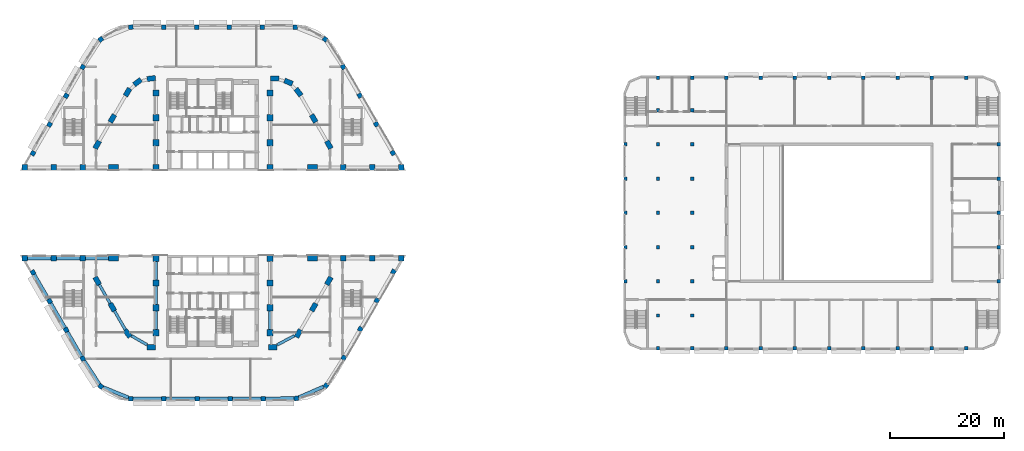
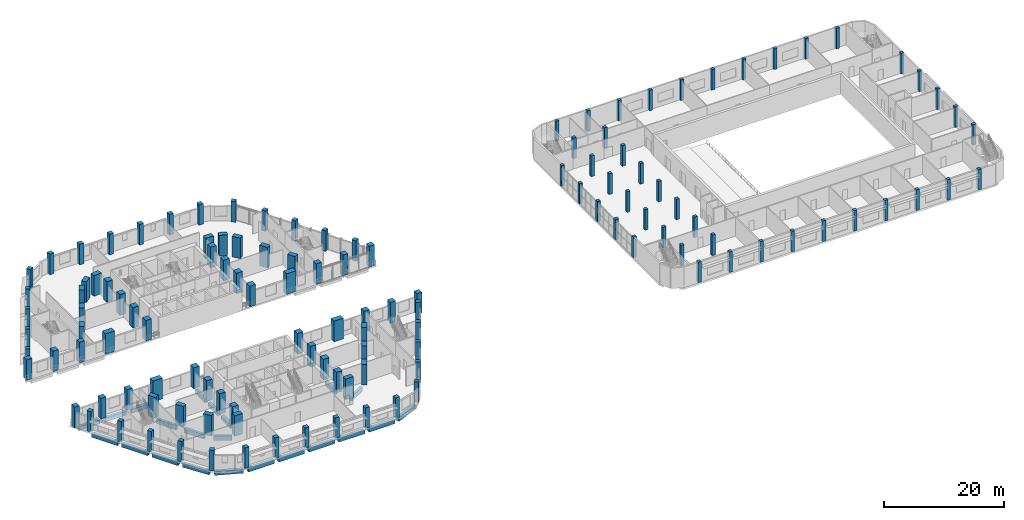
# One storey, part 1 of 45: 126 columns, 22 beams.
"""IFC4 building model written with IfcOpenShell, lengths in metres."""

import ifcopenshell
import ifcopenshell.guid

model = None  # the IFC model being written
_history = None  # IfcOwnerHistory: only IFC2X3 demands one
_inside = {}  # id of a spatial element -> (the spatial element, [elements in it])
_under = {}  # id of a project, library or spatial element -> (it, [spatial elements below it])
_declared = {}  # id of a project -> (the project, [libraries it declares])
_typed = {}  # id of a type object -> (the type object, [elements of that type])
_made_of = {}  # id of a material, layer set ... -> (it, [elements and type objects made of it])


def new_model(schema):
    """Start an empty IFC model of exactly this schema.

    Asked for "IFC4X3", IfcOpenShell would pick the latest addendum, in which some entities
    have other attributes; the version numbers below select the first issue.
    IFC2X3 requires an IfcOwnerHistory on every rooted entity: one is made here for all.
    """
    global model, _history
    if schema == "IFC4X3":
        model = ifcopenshell.file(schema_version=(4, 3, 0, 0))
    else:
        model = ifcopenshell.file(schema=schema)
    _inside.clear()
    _under.clear()
    _declared.clear()
    _typed.clear()
    _made_of.clear()
    _history = None
    if model.schema == "IFC2X3":
        org = make("IfcOrganization", Name="unknown")
        user = make(
            "IfcPersonAndOrganization",
            ThePerson=make("IfcPerson", FamilyName="unknown"),
            TheOrganization=org,
        )
        app = make(
            "IfcApplication",
            ApplicationDeveloper=org,
            Version="unknown",
            ApplicationFullName="unknown",
            ApplicationIdentifier="unknown",
        )
        _history = make(
            "IfcOwnerHistory",
            OwningUser=user,
            OwningApplication=app,
            ChangeAction="ADDED",
            CreationDate=0,
        )
    return model


def make(cls, **values):
    """One entity of the class cls with the attributes given. An attribute that is None is left unset."""
    return model.create_entity(
        cls, **{name: value for name, value in values.items() if value is not None}
    )


def rooted(cls, **values):
    """An entity with a GlobalId (a new one), such as an element, a storey or a relation."""
    return make(cls, GlobalId=ifcopenshell.guid.new(), OwnerHistory=_history, **values)


def si_unit(unit_type, name, prefix=None):
    """IfcSIUnit, for example si_unit("LENGTHUNIT", "METRE", prefix="MILLI")."""
    return make("IfcSIUnit", UnitType=unit_type, Prefix=prefix, Name=name)


def assignment(units):
    """IfcUnitAssignment: the units of a project."""
    return None if units is None else make("IfcUnitAssignment", Units=units)


def point(xyz):
    """IfcCartesianPoint."""
    return None if xyz is None else make("IfcCartesianPoint", Coordinates=xyz)


def direction(xyz):
    """IfcDirection."""
    return None if xyz is None else make("IfcDirection", DirectionRatios=xyz)


def frame(location, z_axis=None, x_axis=None):
    """IfcAxis2Placement3D, a coordinate frame: its origin and axes. An axis left out is left unset."""
    return make(
        "IfcAxis2Placement3D",
        Location=point(location),
        Axis=direction(z_axis),
        RefDirection=direction(x_axis),
    )


def frame_2d(location, x_axis=None):
    """IfcAxis2Placement2D, a coordinate frame in the plane: its origin and x axis."""
    return make(
        "IfcAxis2Placement2D", Location=point(location), RefDirection=direction(x_axis)
    )


def origin():
    """The frame at (0, 0, 0) with its axes left unset."""
    return frame((0.0, 0.0, 0.0))


def origin_2d():
    """The frame at (0, 0) in the plane with its x axis left unset."""
    return frame_2d((0.0, 0.0))


def place(relative_to, where):
    """IfcLocalPlacement: puts the frame where relative to a parent placement (None: the world)."""
    return make(
        "IfcLocalPlacement", PlacementRelTo=relative_to, RelativePlacement=where
    )


def context(
    kind, dimensions, precision=None, world=None, true_north=None, identifier=None
):
    """IfcGeometricRepresentationContext, for example the 3D "Model" context."""
    return make(
        "IfcGeometricRepresentationContext",
        ContextIdentifier=identifier,
        ContextType=kind,
        CoordinateSpaceDimension=dimensions,
        Precision=precision,
        WorldCoordinateSystem=world,
        TrueNorth=true_north,
    )


def subcontext(parent, identifier, kind, view, scale=None):
    """IfcGeometricRepresentationSubContext, for example "Body" below "Model"."""
    return make(
        "IfcGeometricRepresentationSubContext",
        ContextIdentifier=identifier,
        ContextType=kind,
        ParentContext=parent,
        TargetScale=scale,
        TargetView=view,
    )


def project(units=None, contexts=None):
    """IfcProject with its units and contexts."""
    return rooted(
        "IfcProject",
        Name="project",
        RepresentationContexts=contexts,
        UnitsInContext=assignment(units),
    )


def spatial(cls, under=None, at=None, **own):
    """A site, building, storey or space (cls), placed at a placement, below another one or the project."""
    s = rooted(cls, ObjectPlacement=at, **own)
    if under is not None:
        _under.setdefault(under.id(), (under, []))[1].append(s)
    return s


def profile(cls, at=None, kind="AREA", **sizes):
    """A parametric profile (cls). Its sizes go by their IFC names, for example OverallWidth=200.0."""
    return make(cls, ProfileType=kind, Position=at, **sizes)


def rectangle(**sizes):
    """IfcRectangleProfileDef."""
    return profile("IfcRectangleProfileDef", **sizes)


def extrude(swept, where, along, depth):
    """IfcExtrudedAreaSolid: the profile swept, set in the frame where, extruded along a direction by depth."""
    return make(
        "IfcExtrudedAreaSolid",
        SweptArea=swept,
        Position=where,
        ExtrudedDirection=direction(along),
        Depth=depth,
    )


def shape(context_of_items, identifier, shape_type, items):
    """IfcShapeRepresentation: the items that make up one representation, for example the "Body"."""
    return make(
        "IfcShapeRepresentation",
        ContextOfItems=context_of_items,
        RepresentationIdentifier=identifier,
        RepresentationType=shape_type,
        Items=items,
    )


def material(Name=None, Category=None):
    """IfcMaterial."""
    return make("IfcMaterial", Name=Name, Category=Category)


def material_profile(
    of_material, cross_section, Name=None, Category=None, Priority=None
):
    """IfcMaterialProfile: a cross section and its material."""
    return make(
        "IfcMaterialProfile",
        Name=Name,
        Material=of_material,
        Profile=cross_section,
        Priority=Priority,
        Category=Category,
    )


def profile_set(profiles, Name=None, composite=None):
    """IfcMaterialProfileSet."""
    return make(
        "IfcMaterialProfileSet",
        Name=Name,
        MaterialProfiles=profiles,
        CompositeProfile=composite,
    )


def made_of(thing, what):
    """Note that an element or type object is made of a material, layer set ...; save() writes the relation."""
    if what is not None:
        _made_of.setdefault(what.id(), (what, []))[1].append(thing)
    return thing


def type_object(cls, material=None, **own):
    """A type object (cls), such as IfcWallType, which elements share."""
    return made_of(rooted(cls, **own), material)


def element(
    cls,
    number,
    at=None,
    inside=None,
    cuts=None,
    type_object=None,
    material=None,
    context=None,
    identifier="Body",
    shape_type=None,
    held_by="IfcProductDefinitionShape",
    body=None,
    shapes=None,
    **own,
):
    """One element of the class cls, such as IfcWall. Its Tag is "e" and its number.

    at: its placement. inside: the storey or other place that contains it. cuts: it is an
    opening in that element (IfcRelVoidsElement). A single representation is given by context,
    identifier, shape_type and body (its items); several are given by shapes. held_by: the class
    of the entity that holds the representations. save() writes the other relations.
    """
    e = rooted(cls, Tag="e%d" % number, ObjectPlacement=at, **own)
    if body is not None:
        shapes = [shape(context, identifier, shape_type, body)]
    if shapes is not None:
        e.Representation = make(held_by, Representations=shapes)
    if inside is not None:
        _inside.setdefault(inside.id(), (inside, []))[1].append(e)
    if cuts is not None:
        rooted(
            "IfcRelVoidsElement", RelatingBuildingElement=cuts, RelatedOpeningElement=e
        )
    if type_object is not None:
        _typed.setdefault(type_object.id(), (type_object, []))[1].append(e)
    return made_of(e, material)


def aggregate(whole, parts):
    """IfcRelAggregates: a whole, such as a stair, and the parts it consists of."""
    return rooted("IfcRelAggregates", RelatingObject=whole, RelatedObjects=parts)


def save(model, path):
    """Write the relations noted so far, then the file.

    IfcRelAggregates (storeys below a building ...), IfcRelContainedInSpatialStructure (elements
    in a storey), IfcRelDefinesByType, IfcRelAssociatesMaterial and IfcRelDeclares: one each for
    every whole, place, type object, material and project.
    """
    for whole, parts in _under.values():
        aggregate(whole, parts)
    for where, things in _inside.values():
        rooted(
            "IfcRelContainedInSpatialStructure",
            RelatedElements=things,
            RelatingStructure=where,
        )
    for kind, things in _typed.values():
        rooted("IfcRelDefinesByType", RelatedObjects=things, RelatingType=kind)
    for what, things in _made_of.values():
        rooted("IfcRelAssociatesMaterial", RelatedObjects=things, RelatingMaterial=what)
    for by, libraries in _declared.values():
        rooted("IfcRelDeclares", RelatingContext=by, RelatedDefinitions=libraries)
    model.write(path)


model = new_model("IFC4")

# Units and contexts
model_context = context("Model", 3, precision=1e-05, world=origin(), true_north=direction((0.0, 1.0)))
body_context = subcontext(model_context, "Body", "Model", "MODEL_VIEW")
ifc_project = project(units=[si_unit("LENGTHUNIT", "METRE"), si_unit("AREAUNIT", "SQUARE_METRE"), si_unit("VOLUMEUNIT", "CUBIC_METRE"), si_unit("PLANEANGLEUNIT", "RADIAN"), si_unit("MASSUNIT", "GRAM", prefix="KILO")], contexts=[model_context])

# Site, building, storey
site_placement = place(None, origin())
site = spatial("IfcSite", under=ifc_project, at=site_placement, CompositionType="ELEMENT")
building_placement = place(site_placement, origin())
building = spatial("IfcBuilding", under=site, at=building_placement, Name="Nakaniwa Court", CompositionType="ELEMENT")
storey_placement = place(building_placement, frame((0.0, 0.0, 11.39990234375)))
storey = spatial("IfcBuildingStorey", under=building, at=storey_placement, Name="L02", CompositionType="ELEMENT", Elevation=11.39990234375)

# Columns
ifc_material_1 = material(Name="Concrete C100/115", Category="concrete")
ifc_material_profile_1 = material_profile(ifc_material_1, rectangle(XDim=1.0, YDim=1.0, at=origin_2d()), Name="Concrete C100/115 RC 1000x1000 portal edge column")
ifc_profile_set_1 = profile_set([ifc_material_profile_1], Name="Concrete C100/115")
column_type_1 = type_object("IfcColumnType", Name="Concrete C100/115 RC 1000x1000 portal edge column", PredefinedType="COLUMN", material=ifc_profile_set_1)
for number, where, z_axis, x_axis, name in (
    (1, (102.822998046875, 87.949951171875, 0.0), (0.0, 0.0, 1.0), (1.0, 0.0, 0.0), "COLUMN CP-03"),
    (2, (102.822998046875, 72.050048828125, 0.0), (0.0, 0.0, 1.0), (1.0, 0.0, 0.0), "COLUMN CP-04"),
    (3, (107.908935546875, 87.949951171875, 0.0), (0.0, 0.0, 1.0), (1.0, 0.0, 0.0), "COLUMN CP-05"),
    (4, (107.908935546875, 72.050048828125, 0.0), (0.0, 0.0, 1.0), (1.0, 0.0, 0.0), "COLUMN CP-06"),
    (5, (112.99609375, 87.949951171875, 0.0), (0.0, 0.0, 1.0), (1.0, 0.0, 0.0), "COLUMN CP-07"),
    (6, (112.99609375, 72.050048828125, 0.0), (0.0, 0.0, 1.0), (1.0, 0.0, 0.0), "COLUMN CP-08"),
    (7, (57.177001953125, 87.949951171875, 0.0), (0.0, 0.0, 1.0), (1.0, 0.0, 0.0), "COLUMN CP-11"),
    (8, (57.177001953125, 72.050048828125, 0.0), (0.0, 0.0, 1.0), (1.0, 0.0, 0.0), "COLUMN CP-12"),
    (9, (52.091064453125, 87.949951171875, 0.0), (0.0, 0.0, 1.0), (1.0, 0.0, 0.0), "COLUMN CP-13"),
    (10, (52.091064453125, 72.050048828125, 0.0), (0.0, 0.0, 1.0), (1.0, 0.0, 0.0), "COLUMN CP-14"),
    (11, (47.00390625, 87.949951171875, 0.0), (0.0, 0.0, 1.0), (1.0, 0.0, 0.0), "COLUMN CP-15"),
    (12, (47.00390625, 72.050048828125, 0.0), (0.0, 0.0, 1.0), (1.0, 0.0, 0.0), "COLUMN CP-16"),
):
    element("IfcColumn", number, at=place(storey_placement, frame(where, z_axis=z_axis, x_axis=x_axis)), inside=storey, type_object=column_type_1, Name=name, PredefinedType="COLUMN", context=body_context, shape_type="SweptSolid", body=[
        extrude(rectangle(XDim=1.0, YDim=1.0, at=origin_2d()), origin(), (0.0, 0.0, 1.0), 4.2001953125),
    ])
ifc_material_profile_2 = material_profile(ifc_material_1, rectangle(XDim=1.10009765625, YDim=1.10009765625, at=origin_2d()), Name="Concrete C100/115 RC 1100x1100 spine column")
ifc_profile_set_2 = profile_set([ifc_material_profile_2], Name="Concrete C100/115")
column_type_2 = type_object("IfcColumnType", Name="Concrete C100/115 RC 1100x1100 spine column", PredefinedType="COLUMN", material=ifc_profile_set_2)
for number, where, z_axis, x_axis, name in (
    (13, (90.0, 59.0, 0.0), (0.0, 0.0, 1.0), (0.0, 1.0, 0.0), "COLUMN CS-01"),
    (14, (90.0, 63.35009765625, 0.0), (0.0, 0.0, 1.0), (0.0, 1.0, 0.0), "COLUMN CS-02"),
    (15, (90.0, 67.699951171875, 0.0), (0.0, 0.0, 1.0), (0.0, 1.0, 0.0), "COLUMN CS-03"),
    (16, (90.0, 72.050048828125, 0.0), (0.0, 0.0, 1.0), (0.0, 1.0, 0.0), "COLUMN CS-04"),
    (17, (90.0, 87.949951171875, 0.0), (0.0, 0.0, 1.0), (0.0, 1.0, 0.0), "COLUMN CS-07"),
    (18, (90.0, 92.300048828125, 0.0), (0.0, 0.0, 1.0), (0.0, 1.0, 0.0), "COLUMN CS-08"),
    (19, (90.0, 96.64990234375, 0.0), (0.0, 0.0, 1.0), (0.0, 1.0, 0.0), "COLUMN CS-09"),
    (20, (90.0, 101.0, 0.0), (0.0, 0.0, 1.0), (0.0, 1.0, 0.0), "COLUMN CS-10"),
    (21, (70.0, 101.0, 0.0), (0.0, 0.0, 1.0), (0.0, -1.0, 0.0), "COLUMN CS-11"),
    (22, (70.0, 96.64990234375, 0.0), (0.0, 0.0, 1.0), (0.0, -1.0, 0.0), "COLUMN CS-12"),
    (23, (70.0, 92.300048828125, 0.0), (0.0, 0.0, 1.0), (0.0, -1.0, 0.0), "COLUMN CS-13"),
    (24, (70.0, 87.949951171875, 0.0), (0.0, 0.0, 1.0), (0.0, -1.0, 0.0), "COLUMN CS-14"),
    (25, (70.0, 72.050048828125, 0.0), (0.0, 0.0, 1.0), (0.0, -1.0, 0.0), "COLUMN CS-17"),
    (26, (70.0, 67.699951171875, 0.0), (0.0, 0.0, 1.0), (0.0, -1.0, 0.0), "COLUMN CS-18"),
    (27, (70.0, 63.35009765625, 0.0), (0.0, 0.0, 1.0), (0.0, -1.0, 0.0), "COLUMN CS-19"),
    (28, (70.0, 59.0, 0.0), (0.0, 0.0, 1.0), (0.0, -1.0, 0.0), "COLUMN CS-20"),
):
    element("IfcColumn", number, at=place(storey_placement, frame(where, z_axis=z_axis, x_axis=x_axis)), inside=storey, type_object=column_type_2, Name=name, PredefinedType="COLUMN", context=body_context, shape_type="SweptSolid", body=[
        extrude(rectangle(XDim=1.10009765625, YDim=1.10009765625, at=origin_2d()), origin(), (0.0, 0.0, 1.0), 4.2001953125),
    ])
ifc_material_profile_3 = material_profile(ifc_material_1, rectangle(XDim=1.5, YDim=0.89990234375, at=origin_2d()), Name="Concrete C100/115 RC 1500x900 perimeter column")
ifc_profile_set_3 = profile_set([ifc_material_profile_3], Name="Concrete C100/115")
column_type_3 = type_object("IfcColumnType", Name="Concrete C100/115 RC 1500x900 perimeter column", PredefinedType="COLUMN", material=ifc_profile_set_3)
for number, where, z_axis, x_axis, name in (
    (29, (69.17529296875, 103.550048828125, 0.0), (0.0, 0.0, 1.0), (-0.991442583111, -0.130543496177, 0.0), "COLUMN CO-01"),
    (30, (66.772705078125, 102.91015625, 0.0), (0.0, 0.0, 1.0), (-0.793363965062, -0.608747582288, 0.0), "COLUMN CO-02"),
    (31, (65.017578125, 101.1494140625, 0.0), (0.0, 0.0, 1.0), (-0.5, -0.866025403784, 0.0), "COLUMN CO-03"),
    (32, (62.3544921875, 96.537109375, 0.0), (0.0, 0.0, 1.0), (-0.5, -0.866025403784, 0.0), "COLUMN CO-04"),
    (33, (59.691650390625, 91.9248046875, 0.0), (0.0, 0.0, 1.0), (-0.5, -0.866025403784, 0.0), "COLUMN CO-05"),
    (34, (59.691650390625, 68.0751953125, 0.0), (0.0, 0.0, 1.0), (0.5, -0.866025403784, 0.0), "COLUMN CO-14"),
    (35, (62.3544921875, 63.462890625, 0.0), (0.0, 0.0, 1.0), (0.5, -0.866025403784, 0.0), "COLUMN CO-15"),
    (36, (65.017578125, 58.8505859375, 0.0), (0.0, 0.0, 1.0), (0.608761429009, -0.793353340291, 0.0), "COLUMN CO-16"),
    (37, (69.17529296875, 56.449951171875, 0.0), (0.0, 0.0, 1.0), (1.0, 0.0, 0.0), "COLUMN CO-17"),
    (38, (90.507080078125, 56.449951171875, 0.0), (0.0, 0.0, 1.0), (1.0, 0.0, 0.0), "COLUMN CO-21"),
    (39, (94.982421875, 58.8505859375, 0.0), (0.0, 0.0, 1.0), (0.5, 0.866025403784, 0.0), "COLUMN CO-22"),
    (40, (97.6455078125, 63.462890625, 0.0), (0.0, 0.0, 1.0), (0.5, 0.866025403784, 0.0), "COLUMN CO-23"),
    (41, (100.308349609375, 68.0751953125, 0.0), (0.0, 0.0, 1.0), (0.5, 0.866025403784, 0.0), "COLUMN CO-24"),
    (42, (100.308349609375, 91.9248046875, 0.0), (0.0, 0.0, 1.0), (-0.5, 0.866025403784, 0.0), "COLUMN CO-33"),
    (43, (97.6455078125, 96.537109375, 0.0), (0.0, 0.0, 1.0), (-0.5, 0.866025403784, 0.0), "COLUMN CO-34"),
    (44, (94.982421875, 101.1494140625, 0.0), (0.0, 0.0, 1.0), (-0.608761429009, 0.793353340291, 0.0), "COLUMN CO-35"),
    (45, (93.227294921875, 102.91015625, 0.0), (0.0, 0.0, 1.0), (-0.923879532511, 0.382683432365, 0.0), "COLUMN CO-36"),
    (46, (90.82470703125, 103.550048828125, 0.0), (0.0, 0.0, 1.0), (-1.0, 0.0, 0.0), "COLUMN CO-37"),
):
    element("IfcColumn", number, at=place(storey_placement, frame(where, z_axis=z_axis, x_axis=x_axis)), inside=storey, type_object=column_type_3, Name=name, PredefinedType="COLUMN", context=body_context, shape_type="SweptSolid", body=[
        extrude(rectangle(XDim=1.5, YDim=0.89990234375, at=origin_2d()), origin(), (0.0, 0.0, 1.0), 4.2001953125),
    ])
ifc_material_profile_4 = material_profile(ifc_material_1, rectangle(XDim=1.800048828125, YDim=1.0, at=origin_2d()), Name="Concrete C100/115 RC 1800x1000 portal edge column")
ifc_profile_set_4 = profile_set([ifc_material_profile_4], Name="Concrete C100/115")
column_type_4 = type_object("IfcColumnType", Name="Concrete C100/115 RC 1800x1000 portal edge column", PredefinedType="COLUMN", material=ifc_profile_set_4)
for number, where, z_axis, x_axis, name in (
    (47, (97.4580078125, 87.949951171875, 0.0), (0.0, 0.0, 1.0), (1.0, 0.0, 0.0), "COLUMN CP-01"),
    (48, (97.4580078125, 72.050048828125, 0.0), (0.0, 0.0, 1.0), (1.0, 0.0, 0.0), "COLUMN CP-02"),
    (49, (62.5419921875, 87.949951171875, 0.0), (0.0, 0.0, 1.0), (1.0, 0.0, 0.0), "COLUMN CP-09"),
    (50, (62.5419921875, 72.050048828125, 0.0), (0.0, 0.0, 1.0), (1.0, 0.0, 0.0), "COLUMN CP-10"),
):
    element("IfcColumn", number, at=place(storey_placement, frame(where, z_axis=z_axis, x_axis=x_axis)), inside=storey, type_object=column_type_4, Name=name, PredefinedType="COLUMN", context=body_context, shape_type="SweptSolid", body=[
        extrude(rectangle(XDim=1.800048828125, YDim=1.0, at=origin_2d()), origin(), (0.0, 0.0, 1.0), 4.2001953125),
    ])
ifc_material_profile_5 = material_profile(ifc_material_1, rectangle(XDim=0.800048828125, YDim=0.800048828125, at=origin_2d()), Name="Concrete C100/115 RC 800x800 podium skirt column")
ifc_profile_set_5 = profile_set([ifc_material_profile_5], Name="Concrete C100/115")
column_type_5 = type_object("IfcColumnType", Name="Concrete C100/115 RC 800x800 podium skirt column", PredefinedType="COLUMN", material=ifc_profile_set_5)
for number, where, z_axis, x_axis, name in (
    (51, (65.595703125, 112.550048828125, 0.0), (0.0, 0.0, 1.0), (-0.991444861374, -0.13052619222, 0.0), "COLUMN CK-01"),
    (52, (60.32763671875, 110.41064453125, 0.0), (0.0, 0.0, 1.0), (-0.793353340291, -0.608761429009, 0.0), "COLUMN CK-02"),
    (53, (57.165771484375, 105.550048828125, 0.0), (0.0, 0.0, 1.0), (-0.5, -0.866025403784, 0.0), "COLUMN CK-03"),
    (54, (54.25732421875, 100.5126953125, 0.0), (0.0, 0.0, 1.0), (-0.5, -0.866025403784, 0.0), "COLUMN CK-04"),
    (55, (51.34912109375, 95.47509765625, 0.0), (0.0, 0.0, 1.0), (-0.5, -0.866025403784, 0.0), "COLUMN CK-05"),
    (56, (48.440673828125, 90.437744140625, 0.0), (0.0, 0.0, 1.0), (-0.5, -0.866025403784, 0.0), "COLUMN CK-06"),
    (57, (48.440673828125, 69.562255859375, 0.0), (0.0, 0.0, 1.0), (0.5, -0.866025403784, 0.0), "COLUMN CK-10"),
    (58, (51.34912109375, 64.52490234375, 0.0), (0.0, 0.0, 1.0), (0.5, -0.866025403784, 0.0), "COLUMN CK-11"),
    (59, (54.25732421875, 59.4873046875, 0.0), (0.0, 0.0, 1.0), (0.5, -0.866025403784, 0.0), "COLUMN CK-12"),
    (60, (57.165771484375, 54.449951171875, 0.0), (0.0, 0.0, 1.0), (0.5, -0.866025403784, 0.0), "COLUMN CK-13"),
    (61, (60.32763671875, 49.58935546875, 0.0), (0.0, 0.0, 1.0), (0.793353340291, -0.608761429009, 0.0), "COLUMN CK-14"),
    (62, (65.595703125, 47.449951171875, 0.0), (0.0, 0.0, 1.0), (1.0, 0.0, 0.0), "COLUMN CK-15"),
    (63, (71.39794921875, 47.449951171875, 0.0), (0.0, 0.0, 1.0), (1.0, 0.0, 0.0), "COLUMN CK-16"),
    (64, (77.2001953125, 47.449951171875, 0.0), (0.0, 0.0, 1.0), (1.0, 0.0, 0.0), "COLUMN CK-17"),
    (65, (83.00244140625, 47.449951171875, 0.0), (0.0, 0.0, 1.0), (1.0, 0.0, 0.0), "COLUMN CK-18"),
    (66, (88.8046875, 47.449951171875, 0.0), (0.0, 0.0, 1.0), (1.0, 0.0, 0.0), "COLUMN CK-19"),
    (67, (94.605224609375, 47.4765625, 0.0), (0.0, 0.0, 1.0), (0.991444861374, 0.13052619222, 0.0), "COLUMN CK-20"),
    (68, (99.8095703125, 49.716064453125, 0.0), (0.0, 0.0, 1.0), (0.608761429009, 0.793353340291, 0.0), "COLUMN CK-21"),
    (69, (102.921142578125, 54.600341796875, 0.0), (0.0, 0.0, 1.0), (0.5, 0.866025403784, 0.0), "COLUMN CK-22"),
    (70, (105.822265625, 59.62548828125, 0.0), (0.0, 0.0, 1.0), (0.5, 0.866025403784, 0.0), "COLUMN CK-23"),
    (71, (108.723388671875, 64.650390625, 0.0), (0.0, 0.0, 1.0), (0.5, 0.866025403784, 0.0), "COLUMN CK-24"),
    (72, (111.62451171875, 69.67529296875, 0.0), (0.0, 0.0, 1.0), (0.5, 0.866025403784, 0.0), "COLUMN CK-25"),
    (73, (111.523193359375, 90.50048828125, 0.0), (0.0, 0.0, 1.0), (-0.5, 0.866025403784, 0.0), "COLUMN CK-29"),
    (74, (108.6220703125, 95.525390625, 0.0), (0.0, 0.0, 1.0), (-0.5, 0.866025403784, 0.0), "COLUMN CK-30"),
    (75, (105.720703125, 100.55029296875, 0.0), (0.0, 0.0, 1.0), (-0.5, 0.866025403784, 0.0), "COLUMN CK-31"),
    (76, (102.819580078125, 105.5751953125, 0.0), (0.0, 0.0, 1.0), (-0.5, 0.866025403784, 0.0), "COLUMN CK-32"),
    (77, (99.660888671875, 110.41943359375, 0.0), (0.0, 0.0, 1.0), (-0.793353340291, 0.608761429009, 0.0), "COLUMN CK-33"),
    (78, (94.404296875, 112.550048828125, 0.0), (0.0, 0.0, 1.0), (-1.0, 0.0, 0.0), "COLUMN CK-34"),
    (79, (88.642578125, 112.550048828125, 0.0), (0.0, 0.0, 1.0), (-1.0, 0.0, 0.0), "COLUMN CK-35"),
    (80, (82.880859375, 112.550048828125, 0.0), (0.0, 0.0, 1.0), (-1.0, 0.0, 0.0), "COLUMN CK-36"),
    (81, (77.119140625, 112.550048828125, 0.0), (0.0, 0.0, 1.0), (-1.0, 0.0, 0.0), "COLUMN CK-37"),
    (82, (71.357421875, 112.550048828125, 0.0), (0.0, 0.0, 1.0), (-1.0, 0.0, 0.0), "COLUMN CK-38"),
):
    element("IfcColumn", number, at=place(storey_placement, frame(where, z_axis=z_axis, x_axis=x_axis)), inside=storey, type_object=column_type_5, Name=name, PredefinedType="COLUMN", context=body_context, shape_type="SweptSolid", body=[
        extrude(rectangle(XDim=0.800048828125, YDim=0.800048828125, at=origin_2d()), origin(), (0.0, 0.0, 1.0), 4.2001953125),
    ])
ifc_material_2 = material(Name="Concrete C50/60", Category="concrete")
ifc_material_profile_6 = material_profile(ifc_material_2, rectangle(XDim=0.60009765625, YDim=0.60009765625, at=origin_2d()), Name="RC 600x600")
ifc_profile_set_6 = profile_set([ifc_material_profile_6], Name="Concrete C50/60")
column_type_6 = type_object("IfcColumnType", Name="Hall column RC 600x600 C50/60", PredefinedType="COLUMN", material=ifc_profile_set_6)
for number, where, z_axis, x_axis, name in (
    (83, (158.0, 56.300048828125, 0.0), (0.0, 0.0, 1.0), (1.0, 0.0, 0.0), "Hall column S1 L02"),
    (84, (158.0, 103.699951171875, 0.0), (0.0, 0.0, 1.0), (1.0, 0.0, 0.0), "Hall column N1 L02"),
    (85, (164.0, 56.300048828125, 0.0), (0.0, 0.0, 1.0), (1.0, 0.0, 0.0), "Hall column S2 L02"),
    (86, (164.0, 103.699951171875, 0.0), (0.0, 0.0, 1.0), (1.0, 0.0, 0.0), "Hall column N2 L02"),
    (87, (170.0, 56.300048828125, 0.0), (0.0, 0.0, 1.0), (1.0, 0.0, 0.0), "Hall column S3 L02"),
    (88, (170.0, 103.699951171875, 0.0), (0.0, 0.0, 1.0), (1.0, 0.0, 0.0), "Hall column N3 L02"),
    (89, (176.0, 56.300048828125, 0.0), (0.0, 0.0, 1.0), (1.0, 0.0, 0.0), "Hall column S4 L02"),
    (90, (176.0, 103.699951171875, 0.0), (0.0, 0.0, 1.0), (1.0, 0.0, 0.0), "Hall column N4 L02"),
    (91, (182.0, 56.300048828125, 0.0), (0.0, 0.0, 1.0), (1.0, 0.0, 0.0), "Hall column S5 L02"),
    (92, (182.0, 103.699951171875, 0.0), (0.0, 0.0, 1.0), (1.0, 0.0, 0.0), "Hall column N5 L02"),
    (93, (188.0, 56.300048828125, 0.0), (0.0, 0.0, 1.0), (1.0, 0.0, 0.0), "Hall column S6 L02"),
    (94, (188.0, 103.699951171875, 0.0), (0.0, 0.0, 1.0), (1.0, 0.0, 0.0), "Hall column N6 L02"),
    (95, (194.0, 56.300048828125, 0.0), (0.0, 0.0, 1.0), (1.0, 0.0, 0.0), "Hall column S7 L02"),
    (96, (194.0, 103.699951171875, 0.0), (0.0, 0.0, 1.0), (1.0, 0.0, 0.0), "Hall column N7 L02"),
    (97, (200.0, 56.300048828125, 0.0), (0.0, 0.0, 1.0), (1.0, 0.0, 0.0), "Hall column S8 L02"),
    (98, (200.0, 103.699951171875, 0.0), (0.0, 0.0, 1.0), (1.0, 0.0, 0.0), "Hall column N8 L02"),
    (99, (206.0, 56.300048828125, 0.0), (0.0, 0.0, 1.0), (1.0, 0.0, 0.0), "Hall column S9 L02"),
    (100, (206.0, 103.699951171875, 0.0), (0.0, 0.0, 1.0), (1.0, 0.0, 0.0), "Hall column N9 L02"),
    (101, (212.0, 56.300048828125, 0.0), (0.0, 0.0, 1.0), (1.0, 0.0, 0.0), "Hall column S10 L02"),
    (102, (212.0, 103.699951171875, 0.0), (0.0, 0.0, 1.0), (1.0, 0.0, 0.0), "Hall column N10 L02"),
    (103, (152.300048828125, 68.0, 0.0), (0.0, 0.0, 1.0), (1.0, 0.0, 0.0), "Hall column W2 L02"),
    (104, (217.699951171875, 68.0, 0.0), (0.0, 0.0, 1.0), (1.0, 0.0, 0.0), "Hall column E2 L02"),
    (105, (152.300048828125, 74.0, 0.0), (0.0, 0.0, 1.0), (1.0, 0.0, 0.0), "Hall column W3 L02"),
    (106, (217.699951171875, 74.0, 0.0), (0.0, 0.0, 1.0), (1.0, 0.0, 0.0), "Hall column E3 L02"),
    (107, (152.300048828125, 80.0, 0.0), (0.0, 0.0, 1.0), (1.0, 0.0, 0.0), "Hall column W4 L02"),
    (108, (217.699951171875, 80.0, 0.0), (0.0, 0.0, 1.0), (1.0, 0.0, 0.0), "Hall column E4 L02"),
    (109, (152.300048828125, 86.0, 0.0), (0.0, 0.0, 1.0), (1.0, 0.0, 0.0), "Hall column W5 L02"),
    (110, (217.699951171875, 86.0, 0.0), (0.0, 0.0, 1.0), (1.0, 0.0, 0.0), "Hall column E5 L02"),
    (111, (152.300048828125, 92.0, 0.0), (0.0, 0.0, 1.0), (1.0, 0.0, 0.0), "Hall column W6 L02"),
    (112, (217.699951171875, 92.0, 0.0), (0.0, 0.0, 1.0), (1.0, 0.0, 0.0), "Hall column E6 L02"),
    (113, (158.0, 62.0, 0.0), (0.0, 0.0, 1.0), (1.0, 0.0, 0.0), "Hall column F1-1 L02"),
    (114, (158.0, 68.0, 0.0), (0.0, 0.0, 1.0), (1.0, 0.0, 0.0), "Hall column F1-2 L02"),
    (115, (158.0, 74.0, 0.0), (0.0, 0.0, 1.0), (1.0, 0.0, 0.0), "Hall column F1-3 L02"),
    (116, (158.0, 80.0, 0.0), (0.0, 0.0, 1.0), (1.0, 0.0, 0.0), "Hall column F1-4 L02"),
    (117, (158.0, 86.0, 0.0), (0.0, 0.0, 1.0), (1.0, 0.0, 0.0), "Hall column F1-5 L02"),
    (118, (158.0, 92.0, 0.0), (0.0, 0.0, 1.0), (1.0, 0.0, 0.0), "Hall column F1-6 L02"),
    (119, (158.0, 98.0, 0.0), (0.0, 0.0, 1.0), (1.0, 0.0, 0.0), "Hall column F1-7 L02"),
    (120, (164.0, 62.0, 0.0), (0.0, 0.0, 1.0), (1.0, 0.0, 0.0), "Hall column F2-1 L02"),
    (121, (164.0, 68.0, 0.0), (0.0, 0.0, 1.0), (1.0, 0.0, 0.0), "Hall column F2-2 L02"),
    (122, (164.0, 74.0, 0.0), (0.0, 0.0, 1.0), (1.0, 0.0, 0.0), "Hall column F2-3 L02"),
    (123, (164.0, 80.0, 0.0), (0.0, 0.0, 1.0), (1.0, 0.0, 0.0), "Hall column F2-4 L02"),
    (124, (164.0, 86.0, 0.0), (0.0, 0.0, 1.0), (1.0, 0.0, 0.0), "Hall column F2-5 L02"),
    (125, (164.0, 92.0, 0.0), (0.0, 0.0, 1.0), (1.0, 0.0, 0.0), "Hall column F2-6 L02"),
    (126, (164.0, 98.0, 0.0), (0.0, 0.0, 1.0), (1.0, 0.0, 0.0), "Hall column F2-7 L02"),
):
    element("IfcColumn", number, at=place(storey_placement, frame(where, z_axis=z_axis, x_axis=x_axis)), inside=storey, type_object=column_type_6, Name=name, PredefinedType="COLUMN", context=body_context, shape_type="SweptSolid", body=[
        extrude(rectangle(XDim=0.60009765625, YDim=0.60009765625, at=origin_2d()), origin(), (0.0, 0.0, 1.0), 4.2001953125),
    ])

# Beams
ifc_material_profile_7 = material_profile(ifc_material_1, rectangle(XDim=0.5, YDim=0.89990234375, at=origin_2d()), Name="Concrete C100/115 RC 500x900 spandrel beam")
ifc_profile_set_7 = profile_set([ifc_material_profile_7], Name="Concrete C100/115")
beam_type_1 = type_object("IfcBeamType", Name="Concrete C100/115 RC 500x900 spandrel beam", PredefinedType="BEAM", material=ifc_profile_set_7)
beam_1_placement = place(storey_placement, frame((60.066650390625, 67.42578125, -0.75), z_axis=(0.499961815444, -0.866047448526, 0.0), x_axis=(0.866047448526, 0.499961815444, 0.0)))
element("IfcBeam", 127, at=beam_1_placement, inside=storey, type_object=beam_type_1, Name="SPANDREL BEAM", PredefinedType="BEAM", context=body_context, shape_type="SweptSolid", body=[
    extrude(rectangle(XDim=0.5, YDim=0.89990234375, at=origin_2d()), origin(), (0.0, 0.0, 1.0), 3.825927734375),
])
beam_2_placement = place(storey_placement, frame((62.7294921875, 62.8134765625, -0.75), z_axis=(0.500023067617, -0.86601208528, 0.0), x_axis=(0.86601208528, 0.500023067617, 0.0)))
element("IfcBeam", 128, at=beam_2_placement, inside=storey, type_object=beam_type_1, Name="SPANDREL BEAM", PredefinedType="BEAM", context=body_context, shape_type="SweptSolid", body=[
    extrude(rectangle(XDim=0.5, YDim=0.89990234375, at=origin_2d()), origin(), (0.0, 0.0, 1.0), 3.819580078125),
])
beam_3_placement = place(storey_placement, frame((65.720458984375, 58.444580078125, -0.75), z_axis=(0.866041096587, -0.499972818284, 0.0), x_axis=(0.499972818284, 0.866041096587, 0.0)))
element("IfcBeam", 129, at=beam_3_placement, inside=storey, type_object=beam_type_1, Name="SPANDREL BEAM", PredefinedType="BEAM", context=body_context, shape_type="SweptSolid", body=[
    extrude(rectangle(XDim=0.5, YDim=0.89990234375, at=origin_2d()), origin(), (0.0, 0.0, 1.0), 3.123291015625),
])
beam_4_placement = place(storey_placement, frame((91.257080078125, 56.852294921875, -0.75), z_axis=(0.881234537383, 0.472679267711, 0.0), x_axis=(-0.472679267711, 0.881234537383, 0.0)))
element("IfcBeam", 130, at=beam_4_placement, inside=storey, type_object=beam_type_1, Name="SPANDREL BEAM", PredefinedType="BEAM", context=body_context, shape_type="SweptSolid", body=[
    extrude(rectangle(XDim=0.5, YDim=0.89990234375, at=origin_2d()), origin(), (0.0, 0.0, 1.0), 3.373291015625),
])
ifc_material_profile_8 = material_profile(ifc_material_1, rectangle(XDim=0.60009765625, YDim=0.75, at=origin_2d()), Name="Concrete C100/115 RC 600x750 ring beam")
ifc_profile_set_8 = profile_set([ifc_material_profile_8], Name="Concrete C100/115")
beam_type_2 = type_object("IfcBeamType", Name="Concrete C100/115 RC 600x750 ring beam", PredefinedType="BEAM", material=ifc_profile_set_8)
for number, where, z_axis, x_axis, name in (
    (131, (90.0, 59.550048828125, -0.6748046875), (0.0, 1.0, 0.0), (-1.0, 0.0, 0.0), "RING BEAM"),
    (132, (70.0, 71.5, -0.6748046875), (0.0, -1.0, 0.0), (1.0, 0.0, 0.0), "RING BEAM"),
    (133, (70.0, 67.14990234375, -0.6748046875), (0.0, -1.0, 0.0), (1.0, 0.0, 0.0), "RING BEAM"),
    (134, (70.0, 62.800048828125, -0.6748046875), (0.0, -1.0, 0.0), (1.0, 0.0, 0.0), "RING BEAM"),
):
    element("IfcBeam", number, at=place(storey_placement, frame(where, z_axis=z_axis, x_axis=x_axis)), inside=storey, type_object=beam_type_2, Name=name, PredefinedType="BEAM", context=body_context, shape_type="SweptSolid", body=[
        extrude(rectangle(XDim=0.60009765625, YDim=0.75, at=origin_2d()), origin(), (0.0, 0.0, 1.0), 3.25),
    ])
for number, where, z_axis, x_axis, name in (
    (135, (48.640625, 69.2158203125, -0.6748046875), (0.500017322015, -0.866015402684, 0.0), (0.866015402684, 0.500017322015, 0.0), "RING BEAM"),
    (136, (51.549072265625, 64.178466796875, -0.6748046875), (0.499980823911, -0.866036474822, 0.0), (0.866036474822, 0.499980823911, 0.0), "RING BEAM"),
    (137, (54.45751953125, 59.14111328125, -0.6748046875), (0.499980823911, -0.866036474822, 0.0), (0.866036474822, 0.499980823911, 0.0), "RING BEAM"),
):
    element("IfcBeam", number, at=place(storey_placement, frame(where, z_axis=z_axis, x_axis=x_axis)), inside=storey, type_object=beam_type_2, Name=name, PredefinedType="BEAM", context=body_context, shape_type="SweptSolid", body=[
        extrude(rectangle(XDim=0.60009765625, YDim=0.75, at=origin_2d()), origin(), (0.0, 0.0, 1.0), 5.016845703125),
    ])
beam_5_placement = place(storey_placement, frame((57.38427734375, 54.114013671875, -0.6748046875), z_axis=(0.545297150408, -0.838242815512, 0.0), x_axis=(0.838242815512, 0.545297150408, 0.0)))
element("IfcBeam", 138, at=beam_5_placement, inside=storey, type_object=beam_type_2, Name="RING BEAM", PredefinedType="BEAM", context=body_context, shape_type="SweptSolid", body=[
    extrude(rectangle(XDim=0.60009765625, YDim=0.75, at=origin_2d()), origin(), (0.0, 0.0, 1.0), 4.9736328125),
])
beam_6_placement = place(storey_placement, frame((60.712158203125, 49.43310546875, -0.6748046875), z_axis=(0.926515496979, -0.376256606397, 0.0), x_axis=(0.376256606397, 0.926515496979, 0.0)))
element("IfcBeam", 139, at=beam_6_placement, inside=storey, type_object=beam_type_2, Name="RING BEAM", PredefinedType="BEAM", context=body_context, shape_type="SweptSolid", body=[
    extrude(rectangle(XDim=0.60009765625, YDim=0.75, at=origin_2d()), origin(), (0.0, 0.0, 1.0), 4.83935546875),
])
beam_7_placement = place(storey_placement, frame((65.99560546875, 47.449951171875, -0.6748046875), z_axis=(1.0, 0.0, 0.0), x_axis=(0.0, 1.0, 0.0)))
element("IfcBeam", 140, at=beam_7_placement, inside=storey, type_object=beam_type_2, Name="RING BEAM", PredefinedType="BEAM", context=body_context, shape_type="SweptSolid", body=[
    extrude(rectangle(XDim=0.60009765625, YDim=0.75, at=origin_2d()), origin(), (0.0, 0.0, 1.0), 5.00244140625),
])
for number, where, z_axis, x_axis, name in (
    (141, (71.798095703125, 47.449951171875, -0.6748046875), (1.0, 0.0, 0.0), (0.0, 1.0, 0.0), "RING BEAM"),
    (142, (77.600341796875, 47.449951171875, -0.6748046875), (1.0, 0.0, 0.0), (0.0, 1.0, 0.0), "RING BEAM"),
    (143, (83.402587890625, 47.449951171875, -0.6748046875), (1.0, 0.0, 0.0), (0.0, 1.0, 0.0), "RING BEAM"),
):
    element("IfcBeam", number, at=place(storey_placement, frame(where, z_axis=z_axis, x_axis=x_axis)), inside=storey, type_object=beam_type_2, Name=name, PredefinedType="BEAM", context=body_context, shape_type="SweptSolid", body=[
        extrude(rectangle(XDim=0.60009765625, YDim=0.75, at=origin_2d()), origin(), (0.0, 0.0, 1.0), 5.002197265625),
    ])
beam_8_placement = place(storey_placement, frame((89.204833984375, 47.451904296875, -0.6748046875), z_axis=(0.999989678664, 0.004543409063, 0.0), x_axis=(-0.004543409063, 0.999989678664, 0.0)))
element("IfcBeam", 144, at=beam_8_placement, inside=storey, type_object=beam_type_2, Name="RING BEAM", PredefinedType="BEAM", context=body_context, shape_type="SweptSolid", body=[
    extrude(rectangle(XDim=0.60009765625, YDim=0.75, at=origin_2d()), origin(), (0.0, 0.0, 1.0), 4.997314453125),
])
beam_9_placement = place(storey_placement, frame((94.987060546875, 47.640869140625, -0.6748046875), z_axis=(0.918566909696, 0.395265521406, 0.0), x_axis=(-0.395265521406, 0.918566909696, 0.0)))
element("IfcBeam", 145, at=beam_9_placement, inside=storey, type_object=beam_type_2, Name="RING BEAM", PredefinedType="BEAM", context=body_context, shape_type="SweptSolid", body=[
    extrude(rectangle(XDim=0.60009765625, YDim=0.75, at=origin_2d()), origin(), (0.0, 0.0, 1.0), 4.791748046875),
])
beam_10_placement = place(storey_placement, frame((47.50390625, 72.050048828125, -0.6748046875), z_axis=(1.0, 0.0, 0.0), x_axis=(0.0, 1.0, 0.0)))
element("IfcBeam", 146, at=beam_10_placement, inside=storey, type_object=beam_type_2, Name="RING BEAM", PredefinedType="BEAM", context=body_context, shape_type="SweptSolid", body=[
    extrude(rectangle(XDim=0.60009765625, YDim=0.75, at=origin_2d()), origin(), (0.0, 0.0, 1.0), 4.087158203125),
])
beam_11_placement = place(storey_placement, frame((52.591064453125, 72.050048828125, -0.6748046875), z_axis=(1.0, 0.0, 0.0), x_axis=(0.0, 1.0, 0.0)))
element("IfcBeam", 147, at=beam_11_placement, inside=storey, type_object=beam_type_2, Name="RING BEAM", PredefinedType="BEAM", context=body_context, shape_type="SweptSolid", body=[
    extrude(rectangle(XDim=0.60009765625, YDim=0.75, at=origin_2d()), origin(), (0.0, 0.0, 1.0), 4.0859375),
])
beam_12_placement = place(storey_placement, frame((57.677001953125, 72.050048828125, -0.6748046875), z_axis=(1.0, 0.0, 0.0), x_axis=(0.0, 1.0, 0.0)))
element("IfcBeam", 148, at=beam_12_placement, inside=storey, type_object=beam_type_2, Name="RING BEAM", PredefinedType="BEAM", context=body_context, shape_type="SweptSolid", body=[
    extrude(rectangle(XDim=0.60009765625, YDim=0.75, at=origin_2d()), origin(), (0.0, 0.0, 1.0), 3.965087890625),
])

save(model, "model.ifc")
